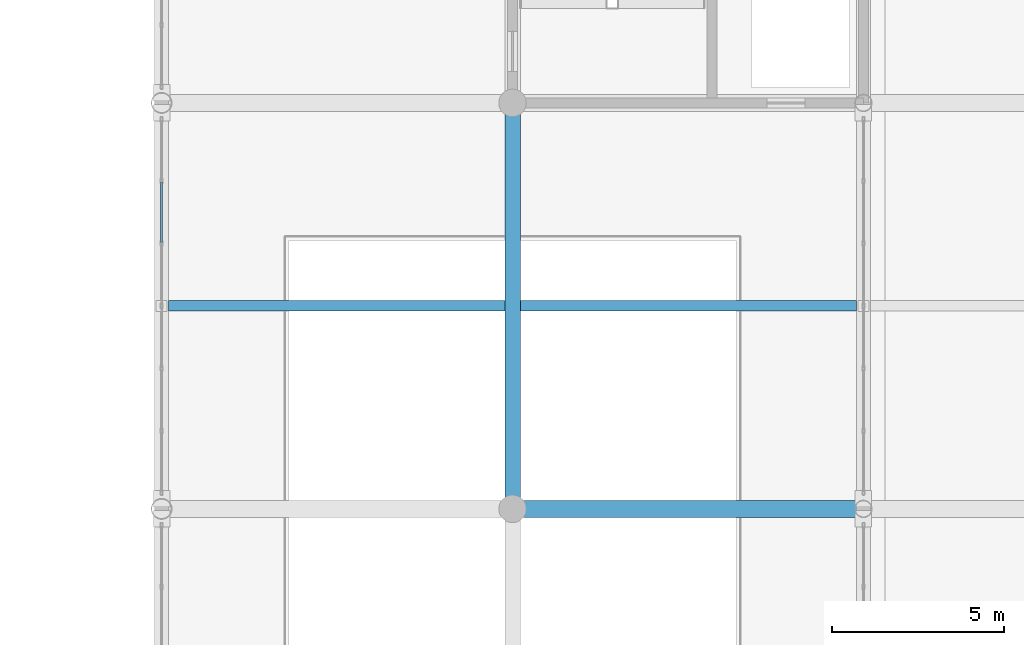
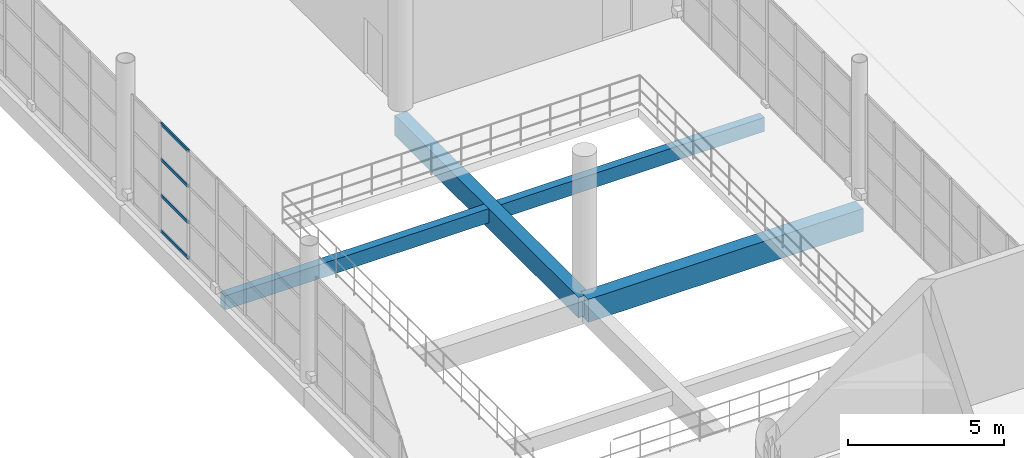
# One storey, part 67 of 175: 4 beams, 4 members, 1 element without a shape of its own.
"""IFC4 building model written with IfcOpenShell, lengths in metres."""

from ifc_helpers import new_model, si_unit, direction, frame, origin, origin_2d, place, context, subcontext, project, spatial, rectangle, hollow_rectangle, extrude, material, material_profile, profile_set, type_object, element, aggregate, save


model = new_model("IFC4")

# Units and contexts
model_context = context("Model", 3, precision=1e-05, world=origin(), true_north=direction((0.0, 1.0)))
body_context = subcontext(model_context, "Body", "Model", "MODEL_VIEW")
ifc_project = project(units=[si_unit("LENGTHUNIT", "METRE"), si_unit("AREAUNIT", "SQUARE_METRE"), si_unit("VOLUMEUNIT", "CUBIC_METRE"), si_unit("PLANEANGLEUNIT", "RADIAN"), si_unit("MASSUNIT", "GRAM", prefix="KILO")], contexts=[model_context])

# Site, building, storey
site_placement = place(None, origin())
site = spatial("IfcSite", under=ifc_project, at=site_placement, CompositionType="ELEMENT")
building_placement = place(site_placement, origin())
building = spatial("IfcBuilding", under=site, at=building_placement, Name="Brelvane Convention Centre", CompositionType="ELEMENT")
storey_placement = place(building_placement, frame((0.0, 0.0, 5.39990234375)))
storey = spatial("IfcBuildingStorey", under=building, at=storey_placement, Name="L01", CompositionType="ELEMENT", Elevation=5.39990234375)

# Curtain wall, members
ifc_material_1 = material(Name="Anodised Aluminium Alloy 6063-T6", Category="aluminium")
curtain_wall_type = type_object("IfcCurtainWallType", Name="Curtain Wall CW-CONC", PredefinedType="USERDEFINED", material=ifc_material_1)
curtain_wall_placement = place(storey_placement, origin())
curtain_wall = element("IfcCurtainWall", 1, at=curtain_wall_placement, inside=storey, type_object=curtain_wall_type, Name="Curtain Wall CW-CONC L01-GAL-ATRIUM-W-3", ObjectType="UNITISED", PredefinedType="USERDEFINED")
ifc_material_2 = material(Name="Anodised Aluminium Alloy 6063-T6", Category="aluminium")
ifc_material_profile_1 = material_profile(ifc_material_2, hollow_rectangle(XDim=0.06005859375, YDim=0.1201171875, WallThickness=0.00390625, InnerFilletRadius=0.00390625, OuterFilletRadius=0.008056640625, at=origin_2d()), Name="ALU-T 120x60x4.0")
ifc_profile_set_1 = profile_set([ifc_material_profile_1], Name="Anodised Aluminium Alloy 6063-T6")
member_type = type_object("IfcMemberType", Name="Curtain Transom CW-T3", PredefinedType="USERDEFINED", material=ifc_profile_set_1)
member_1_placement = place(storey_placement, frame((142.800048828125, 71.94921875, 0.030029296875), z_axis=(0.0, 1.0, 0.0), x_axis=(-1.0, 0.0, 0.0)))
member_1 = element("IfcMember", 2, at=member_1_placement, type_object=member_type, Name="CW-CONC transom 5.1", ObjectType="TRANSOM", PredefinedType="USERDEFINED", context=body_context, shape_type="SweptSolid", body=[
    extrude(hollow_rectangle(XDim=0.06005859375, YDim=0.1201171875, WallThickness=0.00390625, InnerFilletRadius=0.00390625, OuterFilletRadius=0.008056640625, at=origin_2d()), origin(), (0.0, 0.0, 1.0), 1.751708984375),
])
member_2_placement = place(storey_placement, frame((142.800048828125, 71.94921875, 1.416748046875), z_axis=(0.0, 1.0, 0.0), x_axis=(-1.0, 0.0, 0.0)))
member_2 = element("IfcMember", 3, at=member_2_placement, type_object=member_type, Name="CW-CONC transom 5.2", ObjectType="TRANSOM", PredefinedType="USERDEFINED", context=body_context, shape_type="SweptSolid", body=[
    extrude(hollow_rectangle(XDim=0.06005859375, YDim=0.1201171875, WallThickness=0.00390625, InnerFilletRadius=0.00390625, OuterFilletRadius=0.008056640625, at=origin_2d()), origin(), (0.0, 0.0, 1.0), 1.751708984375),
])
member_3_placement = place(storey_placement, frame((142.800048828125, 71.94921875, 2.83349609375), z_axis=(0.0, 1.0, 0.0), x_axis=(-1.0, 0.0, 0.0)))
member_3 = element("IfcMember", 4, at=member_3_placement, type_object=member_type, Name="CW-CONC transom 5.3", ObjectType="TRANSOM", PredefinedType="USERDEFINED", context=body_context, shape_type="SweptSolid", body=[
    extrude(hollow_rectangle(XDim=0.06005859375, YDim=0.1201171875, WallThickness=0.00390625, InnerFilletRadius=0.00390625, OuterFilletRadius=0.008056640625, at=origin_2d()), origin(), (0.0, 0.0, 1.0), 1.751708984375),
])
member_4_placement = place(storey_placement, frame((142.800048828125, 71.94921875, 4.22021484375), z_axis=(0.0, 1.0, 0.0), x_axis=(-1.0, 0.0, 0.0)))
member_4 = element("IfcMember", 5, at=member_4_placement, type_object=member_type, Name="CW-CONC transom 5.4", ObjectType="TRANSOM", PredefinedType="USERDEFINED", context=body_context, shape_type="SweptSolid", body=[
    extrude(hollow_rectangle(XDim=0.06005859375, YDim=0.1201171875, WallThickness=0.00390625, InnerFilletRadius=0.00390625, OuterFilletRadius=0.008056640625, at=origin_2d()), origin(), (0.0, 0.0, 1.0), 1.751708984375),
])
aggregate(curtain_wall, [member_1, member_2, member_3, member_4])

# Beams
ifc_material_3 = material(Name="Concrete M40", Category="concrete")
ifc_material_profile_2 = material_profile(ifc_material_3, rectangle(XDim=0.5, YDim=0.89990234375, at=origin_2d()), Name="RC 500x900")
ifc_profile_set_2 = profile_set([ifc_material_profile_2], Name="Concrete M40")
beam_type_1 = type_object("IfcBeamType", Name="RC Beam B-RC4 (RC 500x900)", PredefinedType="BEAM", material=ifc_profile_set_2)
beam_1_placement = place(storey_placement, frame((153.0, 64.199951171875, -0.77978515625), z_axis=(1.0, 0.0, 0.0), x_axis=(0.0, 1.0, 0.0)))
element("IfcBeam", 6, at=beam_1_placement, inside=storey, type_object=beam_type_1, Name="L01 Beam 16-17/G", PredefinedType="BEAM", context=body_context, shape_type="SweptSolid", body=[
    extrude(rectangle(XDim=0.5, YDim=0.89990234375, at=origin_2d()), origin(), (0.0, 0.0, 1.0), 10.199951171875),
])
ifc_material_4 = material(Name="Concrete M40", Category="concrete")
ifc_material_profile_3 = material_profile(ifc_material_4, rectangle(XDim=0.449951171875, YDim=0.800048828125, at=origin_2d()), Name="RC 450x800")
ifc_profile_set_3 = profile_set([ifc_material_profile_3], Name="Concrete M40")
beam_type_2 = type_object("IfcBeamType", Name="RC Beam B-RC5 (RC 450x800)", PredefinedType="BEAM", material=ifc_profile_set_3)
beam_2_placement = place(storey_placement, frame((153.0, 64.199951171875, -0.72998046875), z_axis=(0.0, 1.0, 0.0), x_axis=(-1.0, 0.0, 0.0)))
element("IfcBeam", 7, at=beam_2_placement, inside=storey, type_object=beam_type_2, Name="L01 Girder 16/G-H", PredefinedType="BEAM", context=body_context, shape_type="SweptSolid", body=[
    extrude(rectangle(XDim=0.449951171875, YDim=0.800048828125, at=origin_2d()), origin(), (0.0, 0.0, 1.0), 11.800048828125),
])
ifc_material_5 = material(Name="Concrete M40", Category="concrete")
ifc_material_profile_4 = material_profile(ifc_material_5, rectangle(XDim=0.300048828125, YDim=0.550048828125, at=origin_2d()), Name="RC 300x550")
ifc_profile_set_4 = profile_set([ifc_material_profile_4], Name="Concrete M40")
beam_type_3 = type_object("IfcBeamType", Name="RC Joist J-RC1 (RC 300x550)", PredefinedType="JOIST", material=ifc_profile_set_4)
for number, where, z_axis, x_axis, name in (
    (8, (143.0, 70.10009765625, -0.60498046875), (1.0, 0.0, 0.0), (0.0, 1.0, 0.0), "L01 Secondary Joist 15-16/GH"),
    (9, (153.22509765625, 70.10009765625, -0.60498046875), (1.0, 0.0, 0.0), (0.0, 1.0, 0.0), "L01 Secondary Joist 16-17/GH"),
):
    element("IfcBeam", number, at=place(storey_placement, frame(where, z_axis=z_axis, x_axis=x_axis)), inside=storey, type_object=beam_type_3, Name=name, PredefinedType="JOIST", context=body_context, shape_type="SweptSolid", body=[
        extrude(rectangle(XDim=0.300048828125, YDim=0.550048828125, at=origin_2d()), origin(), (0.0, 0.0, 1.0), 9.77490234375),
    ])

save(model, "model.ifc")
